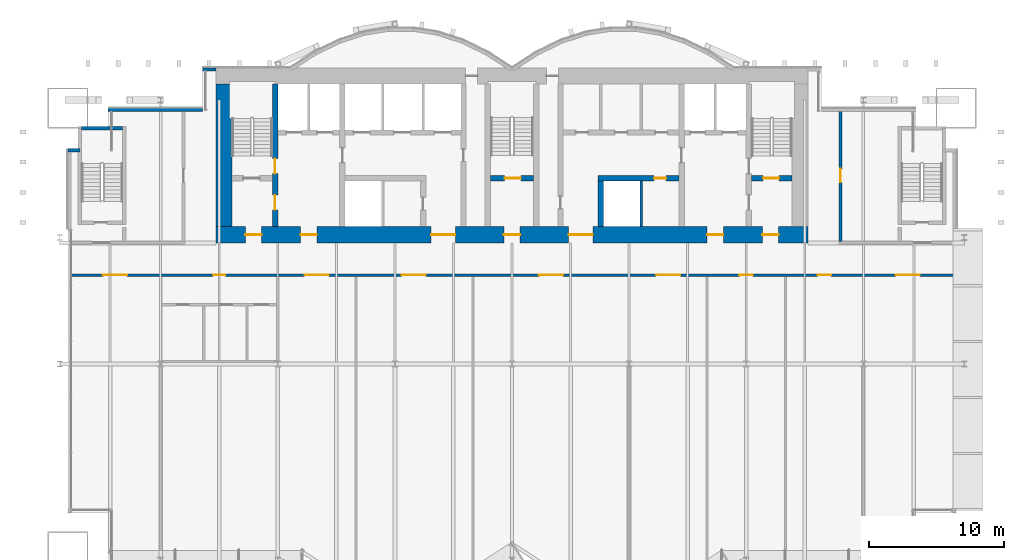
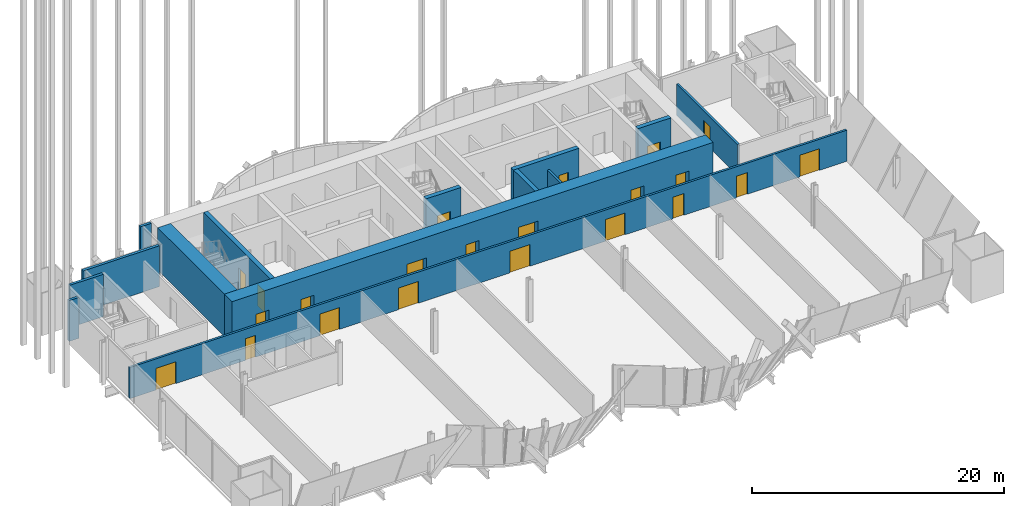
# One storey, part 18 of 22: 22 doors, 14 walls, 22 openings.
"""IFC4 building model written with IfcOpenShell, lengths in metres."""

from ifc_helpers import new_model, si_unit, direction, frame, frame_2d, origin, place, context, subcontext, project, spatial, rectangle, extrude, material, layer, layer_set, layer_usage, type_object, element, fill, save


model = new_model("IFC4")

# Units and contexts
model_context = context("Model", 3, precision=1e-05, world=origin(), true_north=direction((0.0, 1.0)))
body_context = subcontext(model_context, "Body", "Model", "MODEL_VIEW")
ifc_project = project(units=[si_unit("LENGTHUNIT", "METRE"), si_unit("AREAUNIT", "SQUARE_METRE"), si_unit("VOLUMEUNIT", "CUBIC_METRE"), si_unit("PLANEANGLEUNIT", "RADIAN"), si_unit("MASSUNIT", "GRAM", prefix="KILO")], contexts=[model_context])

# Site, building, storey
site_placement = place(None, origin())
site = spatial("IfcSite", under=ifc_project, at=site_placement, CompositionType="ELEMENT")
building_placement = place(site_placement, origin())
building = spatial("IfcBuilding", under=site, at=building_placement, Name="Bicima Exchange Tower", CompositionType="ELEMENT")
storey_placement = place(building_placement, frame((0.0, 0.0, 89.89990234375)))
storey = spatial("IfcBuildingStorey", under=building, at=storey_placement, Name="L18", CompositionType="ELEMENT", Elevation=89.89990234375)

# Wall
ifc_material_1 = material(Name="Gypsum board partition")
ifc_layer_1 = layer(ifc_material_1, 0.199951171875)
ifc_layer_set_1 = layer_set([ifc_layer_1], Name="Gypsum board partition")
wall_type_1 = type_object("IfcWallType", Name="Fire-rated gypsum partition 200 EI120", PredefinedType="PARTITIONING", material=ifc_layer_set_1)
wall_1_placement = place(storey_placement, frame((9.60009765625, -11.800048828125, 0.0), z_axis=(0.0, 0.0, 1.0), x_axis=(0.0, 1.0, 0.0)))
element("IfcWall", 1, at=wall_1_placement, inside=storey, type_object=wall_type_1, Name="partition wall 21", PredefinedType="PARTITIONING", context=body_context, shape_type="SweptSolid", body=[
    extrude(rectangle(XDim=3.400146484375, YDim=0.199951171875, at=frame_2d((1.7001953125, 0.0))), origin(), (0.0, 0.0, 1.0), 3.018310546875),
])

# Wall, openings, doors
ifc_layer_2 = layer(ifc_material_1, 0.199951171875)
ifc_layer_set_2 = layer_set([ifc_layer_2], Name="Gypsum board partition")
wall_type_2 = type_object("IfcWallType", Name="Fire-rated gypsum partition 200 EI60", PredefinedType="PARTITIONING", material=ifc_layer_set_2)
wall_2_placement = place(storey_placement, frame((-32.7900390625, -15.39990234375, 0.0), z_axis=(0.0, 0.0, 1.0), x_axis=(1.0, 0.0, 0.0)))
wall_2 = element("IfcWall", 2, at=wall_2_placement, inside=storey, type_object=wall_type_2, Name="partition wall 3", PredefinedType="PARTITIONING", context=body_context, shape_type="SweptSolid", body=[
    extrude(rectangle(XDim=65.580078125, YDim=0.199951171875, at=frame_2d((32.7900390625, 0.0))), origin(), (0.0, 0.0, 1.0), 3.018310546875),
])
opening_1_placement = place(wall_2_placement, frame((2.39990234375, 0.0, 0.0)))
opening_1 = element("IfcOpeningElement", 3, at=opening_1_placement, cuts=wall_2, Name="Opening L18-007", PredefinedType="OPENING", context=body_context, shape_type="SweptSolid", body=[
    extrude(rectangle(XDim=1.800048828125, YDim=2.10009765625, at=frame_2d((0.89990234375, 1.050048828125))), frame((0.0, 0.11181640625, 0.0), z_axis=(0.0, -1.0, 0.0), x_axis=(1.0, 0.0, 0.0)), (0.0, 0.0, 1.0), 0.223876953125),
])
opening_2_placement = place(wall_2_placement, frame((10.590087890625, 0.0, 0.0)))
opening_2 = element("IfcOpeningElement", 4, at=opening_2_placement, cuts=wall_2, Name="Opening L18-008", PredefinedType="OPENING", context=body_context, shape_type="SweptSolid", body=[
    extrude(rectangle(XDim=0.89990234375, YDim=2.10009765625, at=frame_2d((0.449951171875, 1.050048828125))), frame((0.0, 0.11181640625, 0.0), z_axis=(0.0, -1.0, 0.0), x_axis=(1.0, 0.0, 0.0)), (0.0, 0.0, 1.0), 0.223876953125),
])
opening_3_placement = place(wall_2_placement, frame((17.389892578125, 0.0, 0.0)))
opening_3 = element("IfcOpeningElement", 5, at=opening_3_placement, cuts=wall_2, Name="Opening L18-012", PredefinedType="OPENING", context=body_context, shape_type="SweptSolid", body=[
    extrude(rectangle(XDim=1.800048828125, YDim=2.10009765625, at=frame_2d((0.89990234375, 1.050048828125))), frame((0.0, 0.11181640625, 0.0), z_axis=(0.0, -1.0, 0.0), x_axis=(1.0, 0.0, 0.0)), (0.0, 0.0, 1.0), 0.223876953125),
])
opening_4_placement = place(wall_2_placement, frame((24.590087890625, 0.0, 0.0)))
opening_4 = element("IfcOpeningElement", 6, at=opening_4_placement, cuts=wall_2, Name="Opening L18-013", PredefinedType="OPENING", context=body_context, shape_type="SweptSolid", body=[
    extrude(rectangle(XDim=1.800048828125, YDim=2.10009765625, at=frame_2d((0.89990234375, 1.050048828125))), frame((0.0, 0.11181640625, 0.0), z_axis=(0.0, -1.0, 0.0), x_axis=(1.0, 0.0, 0.0)), (0.0, 0.0, 1.0), 0.223876953125),
])
opening_5_placement = place(wall_2_placement, frame((34.7900390625, 0.0, 0.0)))
opening_5 = element("IfcOpeningElement", 7, at=opening_5_placement, cuts=wall_2, Name="Opening L18-014", PredefinedType="OPENING", context=body_context, shape_type="SweptSolid", body=[
    extrude(rectangle(XDim=1.800048828125, YDim=2.10009765625, at=frame_2d((0.89990234375, 1.050048828125))), frame((0.0, 0.11181640625, 0.0), z_axis=(0.0, -1.0, 0.0), x_axis=(1.0, 0.0, 0.0)), (0.0, 0.0, 1.0), 0.223876953125),
])
opening_6_placement = place(wall_2_placement, frame((43.489990234375, 0.0, 0.0)))
opening_6 = element("IfcOpeningElement", 8, at=opening_6_placement, cuts=wall_2, Name="Opening L18-015", PredefinedType="OPENING", context=body_context, shape_type="SweptSolid", body=[
    extrude(rectangle(XDim=1.800048828125, YDim=2.10009765625, at=frame_2d((0.89990234375, 1.050048828125))), frame((0.0, 0.11181640625, 0.0), z_axis=(0.0, -1.0, 0.0), x_axis=(1.0, 0.0, 0.0)), (0.0, 0.0, 1.0), 0.223876953125),
])
opening_7_placement = place(wall_2_placement, frame((49.68994140625, 0.0, 0.0)))
opening_7 = element("IfcOpeningElement", 9, at=opening_7_placement, cuts=wall_2, Name="Opening L18-016", PredefinedType="OPENING", context=body_context, shape_type="SweptSolid", body=[
    extrude(rectangle(XDim=1.0, YDim=2.10009765625, at=frame_2d((0.5, 1.050048828125))), frame((0.0, 0.11181640625, 0.0), z_axis=(0.0, -1.0, 0.0), x_axis=(1.0, 0.0, 0.0)), (0.0, 0.0, 1.0), 0.223876953125),
])
opening_8_placement = place(wall_2_placement, frame((55.489990234375, 0.0, 0.0)))
opening_8 = element("IfcOpeningElement", 10, at=opening_8_placement, cuts=wall_2, Name="Opening L18-017", PredefinedType="OPENING", context=body_context, shape_type="SweptSolid", body=[
    extrude(rectangle(XDim=1.0, YDim=2.10009765625, at=frame_2d((0.5, 1.050048828125))), frame((0.0, 0.11181640625, 0.0), z_axis=(0.0, -1.0, 0.0), x_axis=(1.0, 0.0, 0.0)), (0.0, 0.0, 1.0), 0.223876953125),
])
opening_9_placement = place(wall_2_placement, frame((61.2900390625, 0.0, 0.0)))
opening_9 = element("IfcOpeningElement", 11, at=opening_9_placement, cuts=wall_2, Name="Opening L18-018", PredefinedType="OPENING", context=body_context, shape_type="SweptSolid", body=[
    extrude(rectangle(XDim=1.800048828125, YDim=2.10009765625, at=frame_2d((0.89990234375, 1.050048828125))), frame((0.0, 0.11181640625, 0.0), z_axis=(0.0, -1.0, 0.0), x_axis=(1.0, 0.0, 0.0)), (0.0, 0.0, 1.0), 0.223876953125),
])
ifc_material_2 = material(Name="Steel fire door leaf", Category="steel")
door_type_1 = type_object("IfcDoorType", Name="Door 1000 swing FD30S", OperationType="SINGLE_SWING_LEFT", PredefinedType="DOOR", material=ifc_material_2)
door_1_placement = place(opening_7_placement, frame((1.0, 0.0, 0.0), z_axis=(0.0, 0.0, 1.0), x_axis=(-1.0, 0.0, 0.0)))
door_1 = element("IfcDoor", 12, at=door_1_placement, inside=storey, type_object=door_type_1, Name="Door", OperationType="SINGLE_SWING_LEFT", OverallHeight=2.10009765625, OverallWidth=1.0, PredefinedType="DOOR", context=body_context, shape_type="SweptSolid", body=[
    extrude(rectangle(XDim=1.0, YDim=2.10009765625, at=frame_2d((0.5, 1.050048828125))), frame((0.0, 0.02490234375, 0.0), z_axis=(0.0, -1.0, 0.0), x_axis=(1.0, 0.0, 0.0)), (0.0, 0.0, 1.0), 0.050048828125),
])
fill(opening_7, door_1)
door_2_placement = place(opening_8_placement, frame((1.0, 0.0, 0.0), z_axis=(0.0, 0.0, 1.0), x_axis=(-1.0, 0.0, 0.0)))
door_2 = element("IfcDoor", 13, at=door_2_placement, inside=storey, type_object=door_type_1, Name="Door", OperationType="SINGLE_SWING_RIGHT", OverallHeight=2.10009765625, OverallWidth=1.0, PredefinedType="DOOR", context=body_context, shape_type="SweptSolid", body=[
    extrude(rectangle(XDim=1.0, YDim=2.10009765625, at=frame_2d((0.5, 1.050048828125))), frame((0.0, 0.02490234375, 0.0), z_axis=(0.0, -1.0, 0.0), x_axis=(1.0, 0.0, 0.0)), (0.0, 0.0, 1.0), 0.050048828125),
])
fill(opening_8, door_2)
door_type_2 = type_object("IfcDoorType", Name="Door 1800 double swing FD30S", OperationType="DOUBLE_DOOR_SINGLE_SWING", PredefinedType="DOOR", material=ifc_material_2)
door_3_placement = place(opening_1_placement, origin())
door_3 = element("IfcDoor", 14, at=door_3_placement, inside=storey, type_object=door_type_2, Name="Door", OperationType="SINGLE_SWING_LEFT", OverallHeight=2.10009765625, OverallWidth=1.800048828125, PredefinedType="DOOR", context=body_context, shape_type="SweptSolid", body=[
    extrude(rectangle(XDim=1.800048828125, YDim=2.10009765625, at=frame_2d((0.89990234375, 1.050048828125))), frame((0.0, 0.02490234375, 0.0), z_axis=(0.0, -1.0, 0.0), x_axis=(1.0, 0.0, 0.0)), (0.0, 0.0, 1.0), 0.050048828125),
])
fill(opening_1, door_3)
door_4_placement = place(opening_3_placement, origin())
door_4 = element("IfcDoor", 15, at=door_4_placement, inside=storey, type_object=door_type_2, Name="Door", OperationType="SINGLE_SWING_LEFT", OverallHeight=2.10009765625, OverallWidth=1.800048828125, PredefinedType="DOOR", context=body_context, shape_type="SweptSolid", body=[
    extrude(rectangle(XDim=1.800048828125, YDim=2.10009765625, at=frame_2d((0.89990234375, 1.050048828125))), frame((0.0, 0.02490234375, 0.0), z_axis=(0.0, -1.0, 0.0), x_axis=(1.0, 0.0, 0.0)), (0.0, 0.0, 1.0), 0.050048828125),
])
fill(opening_3, door_4)
door_5_placement = place(opening_4_placement, origin())
door_5 = element("IfcDoor", 16, at=door_5_placement, inside=storey, type_object=door_type_2, Name="Door", OperationType="SINGLE_SWING_LEFT", OverallHeight=2.10009765625, OverallWidth=1.800048828125, PredefinedType="DOOR", context=body_context, shape_type="SweptSolid", body=[
    extrude(rectangle(XDim=1.800048828125, YDim=2.10009765625, at=frame_2d((0.89990234375, 1.050048828125))), frame((0.0, 0.02490234375, 0.0), z_axis=(0.0, -1.0, 0.0), x_axis=(1.0, 0.0, 0.0)), (0.0, 0.0, 1.0), 0.050048828125),
])
fill(opening_4, door_5)
door_6_placement = place(opening_5_placement, origin())
door_6 = element("IfcDoor", 17, at=door_6_placement, inside=storey, type_object=door_type_2, Name="Door", OperationType="SINGLE_SWING_LEFT", OverallHeight=2.10009765625, OverallWidth=1.800048828125, PredefinedType="DOOR", context=body_context, shape_type="SweptSolid", body=[
    extrude(rectangle(XDim=1.800048828125, YDim=2.10009765625, at=frame_2d((0.89990234375, 1.050048828125))), frame((0.0, 0.02490234375, 0.0), z_axis=(0.0, -1.0, 0.0), x_axis=(1.0, 0.0, 0.0)), (0.0, 0.0, 1.0), 0.050048828125),
])
fill(opening_5, door_6)
door_7_placement = place(opening_6_placement, origin())
door_7 = element("IfcDoor", 18, at=door_7_placement, inside=storey, type_object=door_type_2, Name="Door", OperationType="SINGLE_SWING_LEFT", OverallHeight=2.10009765625, OverallWidth=1.800048828125, PredefinedType="DOOR", context=body_context, shape_type="SweptSolid", body=[
    extrude(rectangle(XDim=1.800048828125, YDim=2.10009765625, at=frame_2d((0.89990234375, 1.050048828125))), frame((0.0, 0.02490234375, 0.0), z_axis=(0.0, -1.0, 0.0), x_axis=(1.0, 0.0, 0.0)), (0.0, 0.0, 1.0), 0.050048828125),
])
fill(opening_6, door_7)
door_8_placement = place(opening_9_placement, origin())
door_8 = element("IfcDoor", 19, at=door_8_placement, inside=storey, type_object=door_type_2, Name="Door", OperationType="SINGLE_SWING_LEFT", OverallHeight=2.10009765625, OverallWidth=1.800048828125, PredefinedType="DOOR", context=body_context, shape_type="SweptSolid", body=[
    extrude(rectangle(XDim=1.800048828125, YDim=2.10009765625, at=frame_2d((0.89990234375, 1.050048828125))), frame((0.0, 0.02490234375, 0.0), z_axis=(0.0, -1.0, 0.0), x_axis=(1.0, 0.0, 0.0)), (0.0, 0.0, 1.0), 0.050048828125),
])
fill(opening_9, door_8)
door_type_3 = type_object("IfcDoorType", Name="Door 900 swing FD30S", OperationType="SINGLE_SWING_LEFT", PredefinedType="DOOR", material=ifc_material_2)
door_9_placement = place(opening_2_placement, frame((0.89990234375, 0.0, 0.0), z_axis=(0.0, 0.0, 1.0), x_axis=(-1.0, 0.0, 0.0)))
door_9 = element("IfcDoor", 20, at=door_9_placement, inside=storey, type_object=door_type_3, Name="Door", OperationType="SINGLE_SWING_RIGHT", OverallHeight=2.10009765625, OverallWidth=0.89990234375, PredefinedType="DOOR", context=body_context, shape_type="SweptSolid", body=[
    extrude(rectangle(XDim=0.89990234375, YDim=2.10009765625, at=frame_2d((0.449951171875, 1.050048828125))), frame((0.0, 0.02490234375, 0.0), z_axis=(0.0, -1.0, 0.0), x_axis=(1.0, 0.0, 0.0)), (0.0, 0.0, 1.0), 0.050048828125),
])
fill(opening_2, door_9)

# Wall, opening, door
wall_3_placement = place(storey_placement, frame((24.39990234375, -12.89990234375, 0.0), z_axis=(0.0, 0.0, 1.0), x_axis=(0.0, 1.0, 0.0)))
wall_3 = element("IfcWall", 21, at=wall_3_placement, inside=storey, type_object=wall_type_2, Name="partition wall 25", PredefinedType="PARTITIONING", context=body_context, shape_type="SweptSolid", body=[
    extrude(rectangle(XDim=9.68994140625, YDim=0.199951171875, at=frame_2d((4.844970703125, 0.0))), origin(), (0.0, 0.0, 1.0), 3.018310546875),
])
opening_10_placement = place(wall_3_placement, frame((4.39990234375, 0.0, 0.0)))
opening_10 = element("IfcOpeningElement", 22, at=opening_10_placement, cuts=wall_3, Name="Opening L18-006", PredefinedType="OPENING", context=body_context, shape_type="SweptSolid", body=[
    extrude(rectangle(XDim=1.0, YDim=2.10009765625, at=frame_2d((0.5, 1.050048828125))), frame((0.0, 0.11181640625, 0.0), z_axis=(0.0, -1.0, 0.0), x_axis=(1.0, 0.0, 0.0)), (0.0, 0.0, 1.0), 0.223876953125),
])
door_10_placement = place(opening_10_placement, frame((1.0, 0.0, 0.0), z_axis=(0.0, 0.0, 1.0), x_axis=(-1.0, 0.0, 0.0)))
door_10 = element("IfcDoor", 23, at=door_10_placement, inside=storey, type_object=door_type_1, Name="Door", OperationType="SINGLE_SWING_RIGHT", OverallHeight=2.10009765625, OverallWidth=1.0, PredefinedType="DOOR", context=body_context, shape_type="SweptSolid", body=[
    extrude(rectangle(XDim=1.0, YDim=2.10009765625, at=frame_2d((0.5, 1.050048828125))), frame((0.0, 0.02490234375, 0.0), z_axis=(0.0, -1.0, 0.0), x_axis=(1.0, 0.0, 0.0)), (0.0, 0.0, 1.0), 0.050048828125),
])
fill(opening_10, door_10)

# Wall, openings, doors
ifc_material_3 = material(Name="Concrete C60/75", Category="concrete")
ifc_layer_3 = layer(ifc_material_3, 1.199951171875)
ifc_layer_set_3 = layer_set([ifc_layer_3], Name="Concrete C60/75")
wall_type_3 = type_object("IfcWallType", Name="RC core wall 1200 C60/75", PredefinedType="SHEAR", material=ifc_layer_set_3)
wall_4_placement = place(storey_placement, frame((-22.0, -12.39990234375, 0.0), z_axis=(0.0, 0.0, 1.0), x_axis=(1.0, 0.0, 0.0)))
wall_4 = element("IfcWall", 24, at=wall_4_placement, inside=storey, type_object=wall_type_3, Name="Core wall south", PredefinedType="SHEAR", context=body_context, shape_type="SweptSolid", body=[
    extrude(rectangle(XDim=44.0, YDim=1.199951171875, at=frame_2d((22.0, 0.0))), origin(), (0.0, 0.0, 1.0), 4.10009765625),
])
opening_11_placement = place(wall_4_placement, frame((2.199951171875, 0.0, 0.0)))
opening_11 = element("IfcOpeningElement", 25, at=opening_11_placement, cuts=wall_4, Name="Opening L18-C19", PredefinedType="OPENING", context=body_context, shape_type="SweptSolid", body=[
    extrude(rectangle(XDim=1.199951171875, YDim=2.10009765625, at=frame_2d((0.60009765625, 1.050048828125))), frame((0.0, 0.61181640625, 0.0), z_axis=(0.0, -1.0, 0.0), x_axis=(1.0, 0.0, 0.0)), (0.0, 0.0, 1.0), 1.223876953125),
])
opening_12_placement = place(wall_4_placement, frame((21.39990234375, 0.0, 0.0)))
opening_12 = element("IfcOpeningElement", 26, at=opening_12_placement, cuts=wall_4, Name="Opening L18-C20", PredefinedType="OPENING", context=body_context, shape_type="SweptSolid", body=[
    extrude(rectangle(XDim=1.199951171875, YDim=2.10009765625, at=frame_2d((0.60009765625, 1.050048828125))), frame((0.0, 0.61181640625, 0.0), z_axis=(0.0, -1.0, 0.0), x_axis=(1.0, 0.0, 0.0)), (0.0, 0.0, 1.0), 1.223876953125),
])
opening_13_placement = place(wall_4_placement, frame((40.60009765625, 0.0, 0.0)))
opening_13 = element("IfcOpeningElement", 27, at=opening_13_placement, cuts=wall_4, Name="Opening L18-C21", PredefinedType="OPENING", context=body_context, shape_type="SweptSolid", body=[
    extrude(rectangle(XDim=1.199951171875, YDim=2.10009765625, at=frame_2d((0.60009765625, 1.050048828125))), frame((0.0, 0.61181640625, 0.0), z_axis=(0.0, -1.0, 0.0), x_axis=(1.0, 0.0, 0.0)), (0.0, 0.0, 1.0), 1.223876953125),
])
opening_14_placement = place(wall_4_placement, frame((16.0, 0.0, 0.0)))
opening_14 = element("IfcOpeningElement", 28, at=opening_14_placement, cuts=wall_4, Name="Opening L18-C22", PredefinedType="OPENING", context=body_context, shape_type="SweptSolid", body=[
    extrude(rectangle(XDim=1.800048828125, YDim=2.10009765625, at=frame_2d((0.89990234375, 1.050048828125))), frame((0.0, 0.61181640625, 0.0), z_axis=(0.0, -1.0, 0.0), x_axis=(1.0, 0.0, 0.0)), (0.0, 0.0, 1.0), 1.223876953125),
])
opening_15_placement = place(wall_4_placement, frame((6.300048828125, 0.0, 0.0)))
opening_15 = element("IfcOpeningElement", 29, at=opening_15_placement, cuts=wall_4, Name="Opening L18-C23", PredefinedType="OPENING", context=body_context, shape_type="SweptSolid", body=[
    extrude(rectangle(XDim=1.199951171875, YDim=2.10009765625, at=frame_2d((0.60009765625, 1.050048828125))), frame((0.0, 0.61181640625, 0.0), z_axis=(0.0, -1.0, 0.0), x_axis=(1.0, 0.0, 0.0)), (0.0, 0.0, 1.0), 1.223876953125),
])
opening_16_placement = place(wall_4_placement, frame((26.199951171875, 0.0, 0.0)))
opening_16 = element("IfcOpeningElement", 30, at=opening_16_placement, cuts=wall_4, Name="Opening L18-C24", PredefinedType="OPENING", context=body_context, shape_type="SweptSolid", body=[
    extrude(rectangle(XDim=1.800048828125, YDim=2.10009765625, at=frame_2d((0.89990234375, 1.050048828125))), frame((0.0, 0.61181640625, 0.0), z_axis=(0.0, -1.0, 0.0), x_axis=(1.0, 0.0, 0.0)), (0.0, 0.0, 1.0), 1.223876953125),
])
opening_17_placement = place(wall_4_placement, frame((36.5, 0.0, 0.0)))
opening_17 = element("IfcOpeningElement", 31, at=opening_17_placement, cuts=wall_4, Name="Opening L18-C25", PredefinedType="OPENING", context=body_context, shape_type="SweptSolid", body=[
    extrude(rectangle(XDim=1.199951171875, YDim=2.10009765625, at=frame_2d((0.60009765625, 1.050048828125))), frame((0.0, 0.61181640625, 0.0), z_axis=(0.0, -1.0, 0.0), x_axis=(1.0, 0.0, 0.0)), (0.0, 0.0, 1.0), 1.223876953125),
])
door_type_4 = type_object("IfcDoorType", Name="Door 1200 swing FD60S", OperationType="SINGLE_SWING_LEFT", PredefinedType="DOOR", material=ifc_material_2)
door_11_placement = place(opening_11_placement, frame((1.199951171875, 0.0, 0.0), z_axis=(0.0, 0.0, 1.0), x_axis=(-1.0, 0.0, 0.0)))
door_11 = element("IfcDoor", 32, at=door_11_placement, inside=storey, type_object=door_type_4, Name="Core door", OperationType="SINGLE_SWING_RIGHT", OverallHeight=2.10009765625, OverallWidth=1.199951171875, PredefinedType="DOOR", context=body_context, shape_type="SweptSolid", body=[
    extrude(rectangle(XDim=1.199951171875, YDim=2.10009765625, at=frame_2d((0.60009765625, 1.050048828125))), frame((0.0, 0.02490234375, 0.0), z_axis=(0.0, -1.0, 0.0), x_axis=(1.0, 0.0, 0.0)), (0.0, 0.0, 1.0), 0.050048828125),
])
fill(opening_11, door_11)
door_12_placement = place(opening_12_placement, frame((1.199951171875, 0.0, 0.0), z_axis=(0.0, 0.0, 1.0), x_axis=(-1.0, 0.0, 0.0)))
door_12 = element("IfcDoor", 33, at=door_12_placement, inside=storey, type_object=door_type_4, Name="Core door", OperationType="SINGLE_SWING_RIGHT", OverallHeight=2.10009765625, OverallWidth=1.199951171875, PredefinedType="DOOR", context=body_context, shape_type="SweptSolid", body=[
    extrude(rectangle(XDim=1.199951171875, YDim=2.10009765625, at=frame_2d((0.60009765625, 1.050048828125))), frame((0.0, 0.02490234375, 0.0), z_axis=(0.0, -1.0, 0.0), x_axis=(1.0, 0.0, 0.0)), (0.0, 0.0, 1.0), 0.050048828125),
])
fill(opening_12, door_12)
door_13_placement = place(opening_13_placement, frame((1.199951171875, 0.0, 0.0), z_axis=(0.0, 0.0, 1.0), x_axis=(-1.0, 0.0, 0.0)))
door_13 = element("IfcDoor", 34, at=door_13_placement, inside=storey, type_object=door_type_4, Name="Core door", OperationType="SINGLE_SWING_RIGHT", OverallHeight=2.10009765625, OverallWidth=1.199951171875, PredefinedType="DOOR", context=body_context, shape_type="SweptSolid", body=[
    extrude(rectangle(XDim=1.199951171875, YDim=2.10009765625, at=frame_2d((0.60009765625, 1.050048828125))), frame((0.0, 0.02490234375, 0.0), z_axis=(0.0, -1.0, 0.0), x_axis=(1.0, 0.0, 0.0)), (0.0, 0.0, 1.0), 0.050048828125),
])
fill(opening_13, door_13)
door_14_placement = place(opening_15_placement, frame((1.199951171875, 0.0, 0.0), z_axis=(0.0, 0.0, 1.0), x_axis=(-1.0, 0.0, 0.0)))
door_14 = element("IfcDoor", 35, at=door_14_placement, inside=storey, type_object=door_type_4, Name="Core door", OperationType="SINGLE_SWING_RIGHT", OverallHeight=2.10009765625, OverallWidth=1.199951171875, PredefinedType="DOOR", context=body_context, shape_type="SweptSolid", body=[
    extrude(rectangle(XDim=1.199951171875, YDim=2.10009765625, at=frame_2d((0.60009765625, 1.050048828125))), frame((0.0, 0.02490234375, 0.0), z_axis=(0.0, -1.0, 0.0), x_axis=(1.0, 0.0, 0.0)), (0.0, 0.0, 1.0), 0.050048828125),
])
fill(opening_15, door_14)
door_15_placement = place(opening_17_placement, frame((1.199951171875, 0.0, 0.0), z_axis=(0.0, 0.0, 1.0), x_axis=(-1.0, 0.0, 0.0)))
door_15 = element("IfcDoor", 36, at=door_15_placement, inside=storey, type_object=door_type_4, Name="Core door", OperationType="SINGLE_SWING_RIGHT", OverallHeight=2.10009765625, OverallWidth=1.199951171875, PredefinedType="DOOR", context=body_context, shape_type="SweptSolid", body=[
    extrude(rectangle(XDim=1.199951171875, YDim=2.10009765625, at=frame_2d((0.60009765625, 1.050048828125))), frame((0.0, 0.02490234375, 0.0), z_axis=(0.0, -1.0, 0.0), x_axis=(1.0, 0.0, 0.0)), (0.0, 0.0, 1.0), 0.050048828125),
])
fill(opening_17, door_15)
door_16_placement = place(opening_14_placement, origin())
door_16 = element("IfcDoor", 37, at=door_16_placement, inside=storey, type_object=door_type_2, Name="Core door", OperationType="SINGLE_SWING_LEFT", OverallHeight=2.10009765625, OverallWidth=1.800048828125, PredefinedType="DOOR", context=body_context, shape_type="SweptSolid", body=[
    extrude(rectangle(XDim=1.800048828125, YDim=2.10009765625, at=frame_2d((0.89990234375, 1.050048828125))), frame((0.0, 0.02490234375, 0.0), z_axis=(0.0, -1.0, 0.0), x_axis=(1.0, 0.0, 0.0)), (0.0, 0.0, 1.0), 0.050048828125),
])
fill(opening_14, door_16)
door_17_placement = place(opening_16_placement, origin())
door_17 = element("IfcDoor", 38, at=door_17_placement, inside=storey, type_object=door_type_2, Name="Core door", OperationType="SINGLE_SWING_LEFT", OverallHeight=2.10009765625, OverallWidth=1.800048828125, PredefinedType="DOOR", context=body_context, shape_type="SweptSolid", body=[
    extrude(rectangle(XDim=1.800048828125, YDim=2.10009765625, at=frame_2d((0.89990234375, 1.050048828125))), frame((0.0, 0.02490234375, 0.0), z_axis=(0.0, -1.0, 0.0), x_axis=(1.0, 0.0, 0.0)), (0.0, 0.0, 1.0), 0.050048828125),
])
fill(opening_16, door_17)

# Wall
wall_5_placement = place(storey_placement, frame((-21.39990234375, -11.800048828125, 0.0), z_axis=(0.0, 0.0, 1.0), x_axis=(0.0, 1.0, 0.0)))
element("IfcWall", 39, at=wall_5_placement, inside=storey, type_object=wall_type_3, Name="Core wall west", PredefinedType="SHEAR", context=body_context, shape_type="SweptSolid", body=[
    extrude(rectangle(XDim=10.60009765625, YDim=1.199951171875, at=frame_2d((5.300048828125, 0.0))), origin(), (0.0, 0.0, 1.0), 4.10009765625),
])

# Wall, opening, door
ifc_material_4 = material(Name="Concrete C50/60", Category="concrete")
ifc_layer_4 = layer(ifc_material_4, 0.39990234375)
ifc_layer_set_4 = layer_set([ifc_layer_4], Name="Concrete C50/60")
wall_type_4 = type_object("IfcWallType", Name="RC core wall 400 C50/60", PredefinedType="SHEAR", material=ifc_layer_set_4)
wall_6_placement = place(storey_placement, frame((-1.60009765625, -8.199951171875, 0.0), z_axis=(0.0, 0.0, 1.0), x_axis=(1.0, 0.0, 0.0)))
wall_6 = element("IfcWall", 40, at=wall_6_placement, inside=storey, type_object=wall_type_4, Name="stair wall 3", PredefinedType="SHEAR", context=body_context, shape_type="SweptSolid", body=[
    extrude(rectangle(XDim=3.2001953125, YDim=0.39990234375, at=frame_2d((1.60009765625, 0.0))), origin(), (0.0, 0.0, 1.0), 4.10009765625),
])
opening_18_placement = place(wall_6_placement, frame((1.050048828125, 0.0, 0.0)))
opening_18 = element("IfcOpeningElement", 41, at=opening_18_placement, cuts=wall_6, Name="Opening L18-C03", PredefinedType="OPENING", context=body_context, shape_type="SweptSolid", body=[
    extrude(rectangle(XDim=1.199951171875, YDim=2.10009765625, at=frame_2d((0.60009765625, 1.050048828125))), frame((0.0, 0.2119140625, 0.0), z_axis=(0.0, -1.0, 0.0), x_axis=(1.0, 0.0, 0.0)), (0.0, 0.0, 1.0), 0.423828125),
])
door_18_placement = place(opening_18_placement, origin())
door_18 = element("IfcDoor", 42, at=door_18_placement, inside=storey, type_object=door_type_4, Name="Core door", OperationType="SINGLE_SWING_LEFT", OverallHeight=2.10009765625, OverallWidth=1.199951171875, PredefinedType="DOOR", context=body_context, shape_type="SweptSolid", body=[
    extrude(rectangle(XDim=1.199951171875, YDim=2.10009765625, at=frame_2d((0.60009765625, 1.050048828125))), frame((0.0, 0.02490234375, 0.0), z_axis=(0.0, -1.0, 0.0), x_axis=(1.0, 0.0, 0.0)), (0.0, 0.0, 1.0), 0.050048828125),
])
fill(opening_18, door_18)

wall_7_placement = place(storey_placement, frame((17.800048828125, -8.199951171875, 0.0), z_axis=(0.0, 0.0, 1.0), x_axis=(1.0, 0.0, 0.0)))
wall_7 = element("IfcWall", 43, at=wall_7_placement, inside=storey, type_object=wall_type_4, Name="stair wall 5", PredefinedType="SHEAR", context=body_context, shape_type="SweptSolid", body=[
    extrude(rectangle(XDim=3.0, YDim=0.39990234375, at=frame_2d((1.5, 0.0))), origin(), (0.0, 0.0, 1.0), 4.10009765625),
])
opening_19_placement = place(wall_7_placement, frame((0.85009765625, 0.0, 0.0)))
opening_19 = element("IfcOpeningElement", 44, at=opening_19_placement, cuts=wall_7, Name="Opening L18-C04", PredefinedType="OPENING", context=body_context, shape_type="SweptSolid", body=[
    extrude(rectangle(XDim=1.199951171875, YDim=2.10009765625, at=frame_2d((0.60009765625, 1.050048828125))), frame((0.0, 0.2119140625, 0.0), z_axis=(0.0, -1.0, 0.0), x_axis=(1.0, 0.0, 0.0)), (0.0, 0.0, 1.0), 0.423828125),
])
door_19_placement = place(opening_19_placement, origin())
door_19 = element("IfcDoor", 45, at=door_19_placement, inside=storey, type_object=door_type_4, Name="Core door", OperationType="SINGLE_SWING_RIGHT", OverallHeight=2.10009765625, OverallWidth=1.199951171875, PredefinedType="DOOR", context=body_context, shape_type="SweptSolid", body=[
    extrude(rectangle(XDim=1.199951171875, YDim=2.10009765625, at=frame_2d((0.60009765625, 1.050048828125))), frame((0.0, 0.02490234375, 0.0), z_axis=(0.0, -1.0, 0.0), x_axis=(1.0, 0.0, 0.0)), (0.0, 0.0, 1.0), 0.050048828125),
])
fill(opening_19, door_19)

# Wall, openings, doors
wall_8_placement = place(storey_placement, frame((-17.60009765625, -11.800048828125, 0.0), z_axis=(0.0, 0.0, 1.0), x_axis=(0.0, 1.0, 0.0)))
wall_8 = element("IfcWall", 46, at=wall_8_placement, inside=storey, type_object=wall_type_4, Name="stair wall 8", PredefinedType="SHEAR", context=body_context, shape_type="SweptSolid", body=[
    extrude(rectangle(XDim=10.60009765625, YDim=0.39990234375, at=frame_2d((5.300048828125, 0.0))), origin(), (0.0, 0.0, 1.0), 4.10009765625),
])
opening_20_placement = place(wall_8_placement, frame((1.25, 0.0, 0.0)))
opening_20 = element("IfcOpeningElement", 47, at=opening_20_placement, cuts=wall_8, Name="Opening L18-C02", PredefinedType="OPENING", context=body_context, shape_type="SweptSolid", body=[
    extrude(rectangle(XDim=1.10009765625, YDim=2.10009765625, at=frame_2d((0.550048828125, 1.050048828125))), frame((0.0, 0.2119140625, 0.0), z_axis=(0.0, -1.0, 0.0), x_axis=(1.0, 0.0, 0.0)), (0.0, 0.0, 1.0), 0.423828125),
])
opening_21_placement = place(wall_8_placement, frame((3.949951171875, 0.0, 0.0)))
opening_21 = element("IfcOpeningElement", 48, at=opening_21_placement, cuts=wall_8, Name="Opening L18-C06", PredefinedType="OPENING", context=body_context, shape_type="SweptSolid", body=[
    extrude(rectangle(XDim=1.10009765625, YDim=2.10009765625, at=frame_2d((0.550048828125, 1.050048828125))), frame((0.0, 0.2119140625, 0.0), z_axis=(0.0, -1.0, 0.0), x_axis=(1.0, 0.0, 0.0)), (0.0, 0.0, 1.0), 0.423828125),
])
door_type_5 = type_object("IfcDoorType", Name="Door 1100 swing FD60S", OperationType="SINGLE_SWING_LEFT", PredefinedType="DOOR", material=ifc_material_2)
door_20_placement = place(opening_20_placement, frame((1.10009765625, 0.0, 0.0), z_axis=(0.0, 0.0, 1.0), x_axis=(-1.0, 0.0, 0.0)))
door_20 = element("IfcDoor", 49, at=door_20_placement, inside=storey, type_object=door_type_5, Name="Core door", OperationType="SINGLE_SWING_LEFT", OverallHeight=2.10009765625, OverallWidth=1.10009765625, PredefinedType="DOOR", context=body_context, shape_type="SweptSolid", body=[
    extrude(rectangle(XDim=1.10009765625, YDim=2.10009765625, at=frame_2d((0.550048828125, 1.050048828125))), frame((0.0, 0.02490234375, 0.0), z_axis=(0.0, -1.0, 0.0), x_axis=(1.0, 0.0, 0.0)), (0.0, 0.0, 1.0), 0.050048828125),
])
fill(opening_20, door_20)
door_21_placement = place(opening_21_placement, frame((1.10009765625, 0.0, 0.0), z_axis=(0.0, 0.0, 1.0), x_axis=(-1.0, 0.0, 0.0)))
door_21 = element("IfcDoor", 50, at=door_21_placement, inside=storey, type_object=door_type_5, Name="Core door", OperationType="SINGLE_SWING_LEFT", OverallHeight=2.10009765625, OverallWidth=1.10009765625, PredefinedType="DOOR", context=body_context, shape_type="SweptSolid", body=[
    extrude(rectangle(XDim=1.10009765625, YDim=2.10009765625, at=frame_2d((0.550048828125, 1.050048828125))), frame((0.0, 0.02490234375, 0.0), z_axis=(0.0, -1.0, 0.0), x_axis=(1.0, 0.0, 0.0)), (0.0, 0.0, 1.0), 0.050048828125),
])
fill(opening_21, door_21)

# Wall, opening, door
ifc_layer_5 = layer(ifc_material_3, 0.39990234375)
ifc_layer_set_5 = layer_set([ifc_layer_5], Name="Concrete C60/75")
wall_type_5 = type_object("IfcWallType", Name="RC core wall 400 C60/75", PredefinedType="SHEAR", material=ifc_layer_set_5)
wall_9_placement = place(storey_placement, frame((6.39990234375, -8.199951171875, 0.0), z_axis=(0.0, 0.0, 1.0), x_axis=(1.0, 0.0, 0.0)))
wall_9 = element("IfcWall", 51, at=wall_9_placement, inside=storey, type_object=wall_type_5, Name="shear wall 4", PredefinedType="SHEAR", context=body_context, shape_type="SweptSolid", body=[
    extrude(rectangle(XDim=6.0, YDim=0.39990234375, at=frame_2d((3.0, 0.0))), origin(), (0.0, 0.0, 1.0), 4.10009765625),
])
opening_22_placement = place(wall_9_placement, frame((4.14990234375, 0.0, 0.0)))
opening_22 = element("IfcOpeningElement", 52, at=opening_22_placement, cuts=wall_9, Name="Opening L18-C16", PredefinedType="OPENING", context=body_context, shape_type="SweptSolid", body=[
    extrude(rectangle(XDim=0.89990234375, YDim=2.10009765625, at=frame_2d((0.449951171875, 1.050048828125))), frame((0.0, 0.2119140625, 0.0), z_axis=(0.0, -1.0, 0.0), x_axis=(1.0, 0.0, 0.0)), (0.0, 0.0, 1.0), 0.423828125),
])
door_22_placement = place(opening_22_placement, frame((0.89990234375, 0.0, 0.0), z_axis=(0.0, 0.0, 1.0), x_axis=(-1.0, 0.0, 0.0)))
door_22 = element("IfcDoor", 53, at=door_22_placement, inside=storey, type_object=door_type_3, Name="Core door", OperationType="SINGLE_SWING_LEFT", OverallHeight=2.10009765625, OverallWidth=0.89990234375, PredefinedType="DOOR", context=body_context, shape_type="SweptSolid", body=[
    extrude(rectangle(XDim=0.89990234375, YDim=2.10009765625, at=frame_2d((0.449951171875, 1.050048828125))), frame((0.0, 0.02490234375, 0.0), z_axis=(0.0, -1.0, 0.0), x_axis=(1.0, 0.0, 0.0)), (0.0, 0.0, 1.0), 0.050048828125),
])
fill(opening_22, door_22)

# Walls
wall_10_placement = place(storey_placement, frame((6.60009765625, -11.800048828125, 0.0), z_axis=(0.0, 0.0, 1.0), x_axis=(0.0, 1.0, 0.0)))
element("IfcWall", 54, at=wall_10_placement, inside=storey, type_object=wall_type_5, Name="shear wall 19", PredefinedType="SHEAR", context=body_context, shape_type="SweptSolid", body=[
    extrude(rectangle(XDim=3.400146484375, YDim=0.39990234375, at=frame_2d((1.7001953125, 0.0))), origin(), (0.0, 0.0, 1.0), 4.10009765625),
])
ifc_layer_6 = layer(ifc_material_4, 0.25)
ifc_layer_set_6 = layer_set([ifc_layer_6], Name="Concrete C50/60")
wall_type_6 = type_object("IfcWallType", Name="RC stair enclosure wall 250 C50/60", PredefinedType="SHEAR", material=ifc_layer_set_6)
wall_11_placement = place(storey_placement, frame((-31.97509765625, -4.5, 0.0), z_axis=(0.0, 0.0, 1.0), x_axis=(1.0, 0.0, 0.0)))
element("IfcWall", 55, at=wall_11_placement, inside=storey, type_object=wall_type_6, Name="West end exit stair wall N", PredefinedType="SHEAR", context=body_context, shape_type="SweptSolid", body=[
    extrude(rectangle(XDim=3.050048828125, YDim=0.25, at=frame_2d((1.52490234375, 0.0))), origin(), (0.0, 0.0, 1.0), 4.10009765625),
])
ifc_material_5 = material(Name="Concrete C40/50", Category="concrete")
ifc_layer_7 = layer(ifc_material_5, 0.25)
ifc_layer_set_7 = layer_set([ifc_layer_7], Name="Concrete C40/50")
ifc_layer_usage = layer_usage(ifc_layer_set_7, "AXIS2", "POSITIVE", -0.125)
wall_type_7 = type_object("IfcWallType", Name="Rear backup wall 250", PredefinedType="STANDARD", material=ifc_layer_set_7)
wall_12_placement = place(storey_placement, frame((-22.0, -0.125, 0.0), z_axis=(0.0, 0.0, 1.0), x_axis=(-1.0, 0.0, 0.0)))
element("IfcWall", 56, at=wall_12_placement, inside=storey, type_object=wall_type_7, material=ifc_layer_usage, Name="Rear backup wall L18 26", PredefinedType="STANDARD", context=body_context, shape_type="SweptSolid", body=[
    extrude(rectangle(XDim=1.0, YDim=0.25, at=frame_2d((0.5, 0.0))), origin(), (0.0, 0.0, 1.0), 3.9501953125),
])
wall_13_placement = place(storey_placement, frame((-23.0, -3.125, 0.0), z_axis=(0.0, 0.0, 1.0), x_axis=(-1.0, 0.0, 0.0)))
element("IfcWall", 57, at=wall_13_placement, inside=storey, type_object=wall_type_7, material=ifc_layer_usage, Name="Rear backup wall L18 28", PredefinedType="STANDARD", context=body_context, shape_type="SweptSolid", body=[
    extrude(rectangle(XDim=7.0, YDim=0.25, at=frame_2d((3.5, 0.0))), origin(), (0.0, 0.0, 1.0), 3.9501953125),
])
wall_14_placement = place(storey_placement, frame((-32.110107421875, -6.125, 0.0), z_axis=(0.0, 0.0, 1.0), x_axis=(-1.0, 0.0, 0.0)))
element("IfcWall", 58, at=wall_14_placement, inside=storey, type_object=wall_type_7, material=ifc_layer_usage, Name="Rear backup wall L18 30", PredefinedType="STANDARD", context=body_context, shape_type="SweptSolid", body=[
    extrude(rectangle(XDim=0.889892578125, YDim=0.25, at=frame_2d((0.44482421875, 0.0))), origin(), (0.0, 0.0, 1.0), 3.9501953125),
])

save(model, "model.ifc")
